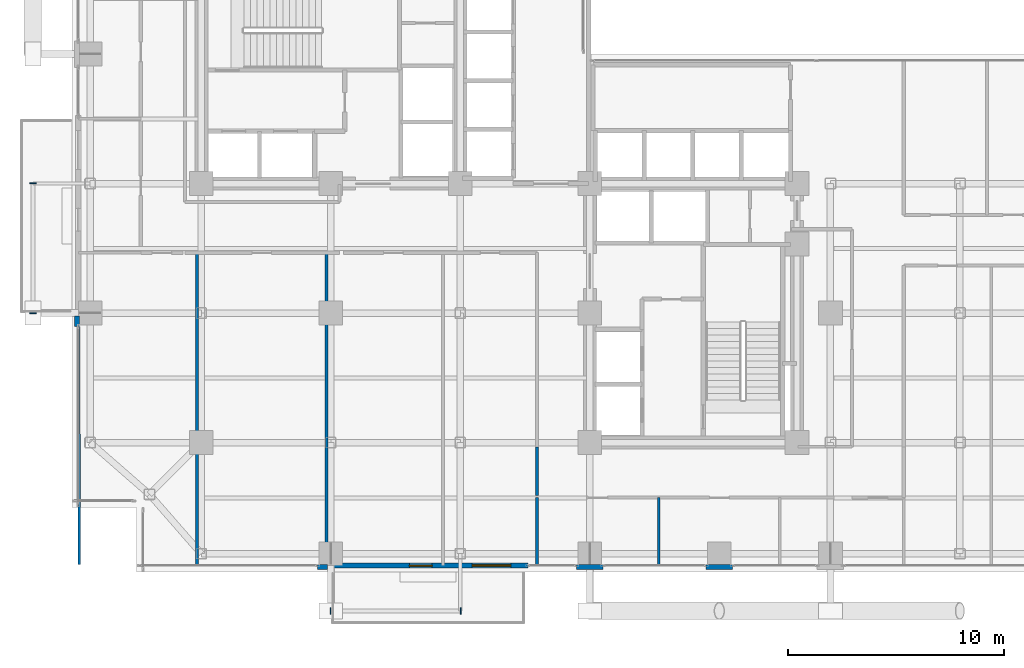
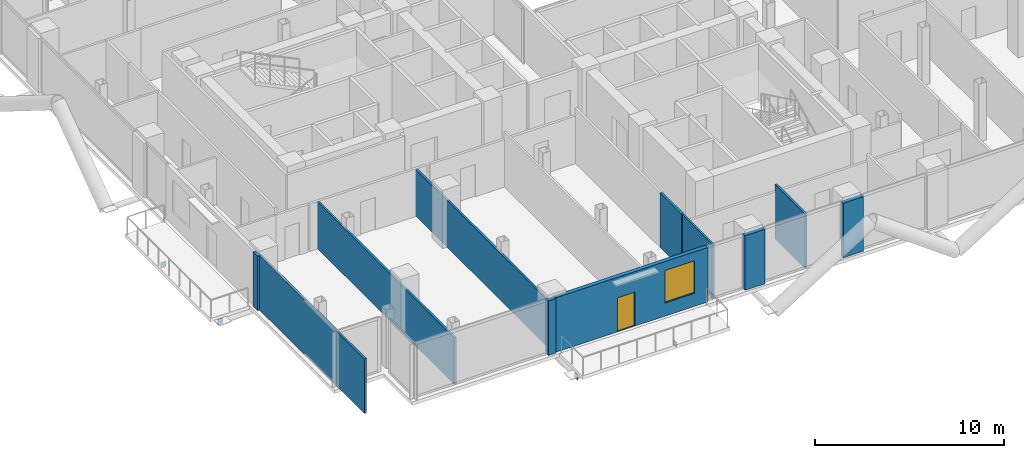
# One storey, part 19 of 26: 11 walls, 4 plates, 1 door, 1 window, 2 openings.
"""IFC4 building model written with IfcOpenShell, lengths in metres."""

import ifcopenshell
import ifcopenshell.guid

model = None  # the IFC model being written
_history = None  # IfcOwnerHistory: only IFC2X3 demands one
_inside = {}  # id of a spatial element -> (the spatial element, [elements in it])
_under = {}  # id of a project, library or spatial element -> (it, [spatial elements below it])
_declared = {}  # id of a project -> (the project, [libraries it declares])
_typed = {}  # id of a type object -> (the type object, [elements of that type])
_made_of = {}  # id of a material, layer set ... -> (it, [elements and type objects made of it])


def new_model(schema):
    """Start an empty IFC model of exactly this schema.

    Asked for "IFC4X3", IfcOpenShell would pick the latest addendum, in which some entities
    have other attributes; the version numbers below select the first issue.
    IFC2X3 requires an IfcOwnerHistory on every rooted entity: one is made here for all.
    """
    global model, _history
    if schema == "IFC4X3":
        model = ifcopenshell.file(schema_version=(4, 3, 0, 0))
    else:
        model = ifcopenshell.file(schema=schema)
    _inside.clear()
    _under.clear()
    _declared.clear()
    _typed.clear()
    _made_of.clear()
    _history = None
    if model.schema == "IFC2X3":
        org = make("IfcOrganization", Name="unknown")
        user = make(
            "IfcPersonAndOrganization",
            ThePerson=make("IfcPerson", FamilyName="unknown"),
            TheOrganization=org,
        )
        app = make(
            "IfcApplication",
            ApplicationDeveloper=org,
            Version="unknown",
            ApplicationFullName="unknown",
            ApplicationIdentifier="unknown",
        )
        _history = make(
            "IfcOwnerHistory",
            OwningUser=user,
            OwningApplication=app,
            ChangeAction="ADDED",
            CreationDate=0,
        )
    return model


def make(cls, **values):
    """One entity of the class cls with the attributes given. An attribute that is None is left unset."""
    return model.create_entity(
        cls, **{name: value for name, value in values.items() if value is not None}
    )


def rooted(cls, **values):
    """An entity with a GlobalId (a new one), such as an element, a storey or a relation."""
    return make(cls, GlobalId=ifcopenshell.guid.new(), OwnerHistory=_history, **values)


def si_unit(unit_type, name, prefix=None):
    """IfcSIUnit, for example si_unit("LENGTHUNIT", "METRE", prefix="MILLI")."""
    return make("IfcSIUnit", UnitType=unit_type, Prefix=prefix, Name=name)


def assignment(units):
    """IfcUnitAssignment: the units of a project."""
    return None if units is None else make("IfcUnitAssignment", Units=units)


def point(xyz):
    """IfcCartesianPoint."""
    return None if xyz is None else make("IfcCartesianPoint", Coordinates=xyz)


def direction(xyz):
    """IfcDirection."""
    return None if xyz is None else make("IfcDirection", DirectionRatios=xyz)


def frame(location, z_axis=None, x_axis=None):
    """IfcAxis2Placement3D, a coordinate frame: its origin and axes. An axis left out is left unset."""
    return make(
        "IfcAxis2Placement3D",
        Location=point(location),
        Axis=direction(z_axis),
        RefDirection=direction(x_axis),
    )


def frame_2d(location, x_axis=None):
    """IfcAxis2Placement2D, a coordinate frame in the plane: its origin and x axis."""
    return make(
        "IfcAxis2Placement2D", Location=point(location), RefDirection=direction(x_axis)
    )


def origin():
    """The frame at (0, 0, 0) with its axes left unset."""
    return frame((0.0, 0.0, 0.0))


def origin_2d():
    """The frame at (0, 0) in the plane with its x axis left unset."""
    return frame_2d((0.0, 0.0))


def place(relative_to, where):
    """IfcLocalPlacement: puts the frame where relative to a parent placement (None: the world)."""
    return make(
        "IfcLocalPlacement", PlacementRelTo=relative_to, RelativePlacement=where
    )


def context(
    kind, dimensions, precision=None, world=None, true_north=None, identifier=None
):
    """IfcGeometricRepresentationContext, for example the 3D "Model" context."""
    return make(
        "IfcGeometricRepresentationContext",
        ContextIdentifier=identifier,
        ContextType=kind,
        CoordinateSpaceDimension=dimensions,
        Precision=precision,
        WorldCoordinateSystem=world,
        TrueNorth=true_north,
    )


def subcontext(parent, identifier, kind, view, scale=None):
    """IfcGeometricRepresentationSubContext, for example "Body" below "Model"."""
    return make(
        "IfcGeometricRepresentationSubContext",
        ContextIdentifier=identifier,
        ContextType=kind,
        ParentContext=parent,
        TargetScale=scale,
        TargetView=view,
    )


def project(units=None, contexts=None):
    """IfcProject with its units and contexts."""
    return rooted(
        "IfcProject",
        Name="project",
        RepresentationContexts=contexts,
        UnitsInContext=assignment(units),
    )


def spatial(cls, under=None, at=None, **own):
    """A site, building, storey or space (cls), placed at a placement, below another one or the project."""
    s = rooted(cls, ObjectPlacement=at, **own)
    if under is not None:
        _under.setdefault(under.id(), (under, []))[1].append(s)
    return s


def profile(cls, at=None, kind="AREA", **sizes):
    """A parametric profile (cls). Its sizes go by their IFC names, for example OverallWidth=200.0."""
    return make(cls, ProfileType=kind, Position=at, **sizes)


def rectangle(**sizes):
    """IfcRectangleProfileDef."""
    return profile("IfcRectangleProfileDef", **sizes)


def extrude(swept, where, along, depth):
    """IfcExtrudedAreaSolid: the profile swept, set in the frame where, extruded along a direction by depth."""
    return make(
        "IfcExtrudedAreaSolid",
        SweptArea=swept,
        Position=where,
        ExtrudedDirection=direction(along),
        Depth=depth,
    )


def shape(context_of_items, identifier, shape_type, items):
    """IfcShapeRepresentation: the items that make up one representation, for example the "Body"."""
    return make(
        "IfcShapeRepresentation",
        ContextOfItems=context_of_items,
        RepresentationIdentifier=identifier,
        RepresentationType=shape_type,
        Items=items,
    )


def material(Name=None, Category=None):
    """IfcMaterial."""
    return make("IfcMaterial", Name=Name, Category=Category)


def layer(
    of_material, thickness, ventilated=None, Name=None, Category=None, Priority=None
):
    """IfcMaterialLayer: one layer of a wall or slab, of a material (None: an air gap)."""
    return make(
        "IfcMaterialLayer",
        Material=of_material,
        LayerThickness=thickness,
        IsVentilated=ventilated,
        Name=Name,
        Category=Category,
        Priority=Priority,
    )


def layer_set(layers, Name=None):
    """IfcMaterialLayerSet."""
    return make("IfcMaterialLayerSet", MaterialLayers=layers, LayerSetName=Name)


def made_of(thing, what):
    """Note that an element or type object is made of a material, layer set ...; save() writes the relation."""
    if what is not None:
        _made_of.setdefault(what.id(), (what, []))[1].append(thing)
    return thing


def type_object(cls, material=None, **own):
    """A type object (cls), such as IfcWallType, which elements share."""
    return made_of(rooted(cls, **own), material)


def element(
    cls,
    number,
    at=None,
    inside=None,
    cuts=None,
    type_object=None,
    material=None,
    context=None,
    identifier="Body",
    shape_type=None,
    held_by="IfcProductDefinitionShape",
    body=None,
    shapes=None,
    **own,
):
    """One element of the class cls, such as IfcWall. Its Tag is "e" and its number.

    at: its placement. inside: the storey or other place that contains it. cuts: it is an
    opening in that element (IfcRelVoidsElement). A single representation is given by context,
    identifier, shape_type and body (its items); several are given by shapes. held_by: the class
    of the entity that holds the representations. save() writes the other relations.
    """
    e = rooted(cls, Tag="e%d" % number, ObjectPlacement=at, **own)
    if body is not None:
        shapes = [shape(context, identifier, shape_type, body)]
    if shapes is not None:
        e.Representation = make(held_by, Representations=shapes)
    if inside is not None:
        _inside.setdefault(inside.id(), (inside, []))[1].append(e)
    if cuts is not None:
        rooted(
            "IfcRelVoidsElement", RelatingBuildingElement=cuts, RelatedOpeningElement=e
        )
    if type_object is not None:
        _typed.setdefault(type_object.id(), (type_object, []))[1].append(e)
    return made_of(e, material)


def fill(opening, filler):
    """IfcRelFillsElement: the door or window that sits in an opening."""
    return rooted(
        "IfcRelFillsElement",
        RelatingOpeningElement=opening,
        RelatedBuildingElement=filler,
    )


def aggregate(whole, parts):
    """IfcRelAggregates: a whole, such as a stair, and the parts it consists of."""
    return rooted("IfcRelAggregates", RelatingObject=whole, RelatedObjects=parts)


def save(model, path):
    """Write the relations noted so far, then the file.

    IfcRelAggregates (storeys below a building ...), IfcRelContainedInSpatialStructure (elements
    in a storey), IfcRelDefinesByType, IfcRelAssociatesMaterial and IfcRelDeclares: one each for
    every whole, place, type object, material and project.
    """
    for whole, parts in _under.values():
        aggregate(whole, parts)
    for where, things in _inside.values():
        rooted(
            "IfcRelContainedInSpatialStructure",
            RelatedElements=things,
            RelatingStructure=where,
        )
    for kind, things in _typed.values():
        rooted("IfcRelDefinesByType", RelatedObjects=things, RelatingType=kind)
    for what, things in _made_of.values():
        rooted("IfcRelAssociatesMaterial", RelatedObjects=things, RelatingMaterial=what)
    for by, libraries in _declared.values():
        rooted("IfcRelDeclares", RelatingContext=by, RelatedDefinitions=libraries)
    model.write(path)


model = new_model("IFC4")

# Units and contexts
model_context = context("Model", 3, precision=1e-05, world=origin(), true_north=direction((0.0, 1.0)))
body_context = subcontext(model_context, "Body", "Model", "MODEL_VIEW")
ifc_project = project(units=[si_unit("LENGTHUNIT", "METRE"), si_unit("AREAUNIT", "SQUARE_METRE"), si_unit("VOLUMEUNIT", "CUBIC_METRE"), si_unit("PLANEANGLEUNIT", "RADIAN"), si_unit("MASSUNIT", "GRAM", prefix="KILO"), si_unit("THERMODYNAMICTEMPERATUREUNIT", "KELVIN"), si_unit("POWERUNIT", "WATT")], contexts=[model_context])

# Site, building, storey
site_placement = place(None, origin())
site = spatial("IfcSite", under=ifc_project, at=site_placement, CompositionType="ELEMENT")
building_placement = place(site_placement, origin())
building = spatial("IfcBuilding", under=site, at=building_placement, Name="Svarakhadi Broadcast Tower", CompositionType="ELEMENT")
storey_placement = place(building_placement, frame((0.0, 0.0, 99.60009765625)))
storey = spatial("IfcBuildingStorey", under=building, at=storey_placement, Name="L23", CompositionType="ELEMENT", Elevation=99.60009765625)

# Plates
ifc_material_1 = material(Name="Steel S460ML (IS 2062 E450BR)", Category="steel")
ifc_layer_1 = layer(ifc_material_1, 0.028076171875)
ifc_layer_set_1 = layer_set([ifc_layer_1], Name="Steel S460ML (IS 2062 E450BR)")
plate_type = type_object("IfcPlateType", Name="Cap_Plate_CP02", PredefinedType="USERDEFINED", material=ifc_layer_set_1)
for number, where, z_axis, x_axis, name in (
    (1, (11.985107421875, -1.800048828125, -0.55517578125), (0.0, 0.0, 1.0), (1.0, 0.0, 0.0), "L23 Balcony Spandrel End Cap Plate 1F-A"),
    (2, (18.014892578125, -1.800048828125, -0.55517578125), (0.0, 0.0, 1.0), (1.0, 0.0, 0.0), "L23 Balcony Spandrel End Cap Plate 1F-B"),
):
    element("IfcPlate", number, at=place(storey_placement, frame(where, z_axis=z_axis, x_axis=x_axis)), inside=storey, type_object=plate_type, Name=name, ObjectType="FLANGE_PLATE", PredefinedType="USERDEFINED", context=body_context, shape_type="SweptSolid", body=[
        extrude(rectangle(XDim=0.0400390625, YDim=0.300048828125, at=origin_2d()), origin(), (0.0, 0.0, 1.0), 0.360107421875),
    ])
for number, where, z_axis, x_axis, name in (
    (3, (-1.800048828125, 11.985107421875, -0.55517578125), (0.0, 0.0, 1.0), (1.0, 0.0, 0.0), "L23 Balcony Spandrel End Cap Plate 2F-A"),
    (4, (-1.800048828125, 18.014892578125, -0.55517578125), (0.0, 0.0, 1.0), (1.0, 0.0, 0.0), "L23 Balcony Spandrel End Cap Plate 2F-B"),
):
    element("IfcPlate", number, at=place(storey_placement, frame(where, z_axis=z_axis, x_axis=x_axis)), inside=storey, type_object=plate_type, Name=name, ObjectType="FLANGE_PLATE", PredefinedType="USERDEFINED", context=body_context, shape_type="SweptSolid", body=[
        extrude(rectangle(XDim=0.300048828125, YDim=0.0400390625, at=origin_2d()), origin(), (0.0, 0.0, 1.0), 0.360107421875),
    ])

# Wall, openings, door, window
ifc_material_2 = material(Name="Concrete C40/50 (IS 456 M50)", Category="concrete")
ifc_layer_2 = layer(ifc_material_2, 0.239990234375)
ifc_layer_set_2 = layer_set([ifc_layer_2], Name="Concrete C40/50 (IS 456 M50)")
wall_type_1 = type_object("IfcWallType", Name="Wall_Ext_240", PredefinedType="SOLIDWALL", material=ifc_layer_set_2)
wall_1_placement = place(storey_placement, frame((21.14501953125, 0.300048828125, 0.0), z_axis=(0.0, 0.0, 1.0), x_axis=(-1.0, 0.0, 0.0)))
wall_1 = element("IfcWall", 5, at=wall_1_placement, inside=storey, type_object=wall_type_1, Name="L23 South Tree Balcony Spandrel Wall", PredefinedType="SOLIDWALL", context=body_context, shape_type="SweptSolid", body=[
    extrude(rectangle(XDim=9.2900390625, YDim=0.239990234375, at=frame_2d((4.64501953125, 0.0))), origin(), (0.0, 0.0, 1.0), 3.52490234375),
])
opening_1_placement = place(wall_1_placement, frame((4.449951171875, 0.0, 0.0)))
opening_1 = element("IfcOpeningElement", 6, at=opening_1_placement, cuts=wall_1, Name="Opening ED-05", PredefinedType="OPENING", context=body_context, shape_type="SweptSolid", body=[
    extrude(rectangle(XDim=1.050048828125, YDim=2.199951171875, at=frame_2d((0.52490234375, 1.10009765625))), frame((0.0, 0.1298828125, 0.0), z_axis=(0.0, -1.0, 0.0), x_axis=(1.0, 0.0, 0.0)), (0.0, 0.0, 1.0), 0.260009765625),
])
opening_2_placement = place(wall_1_placement, frame((0.800048828125, 0.0, 0.85009765625)))
opening_2 = element("IfcOpeningElement", 7, at=opening_2_placement, cuts=wall_1, Name="Opening WN-02", PredefinedType="OPENING", context=body_context, shape_type="SweptSolid", body=[
    extrude(rectangle(XDim=1.800048828125, YDim=2.10009765625, at=frame_2d((0.89990234375, 1.050048828125))), frame((0.0, 0.1298828125, 0.0), z_axis=(0.0, -1.0, 0.0), x_axis=(1.0, 0.0, 0.0)), (0.0, 0.0, 1.0), 0.260009765625),
])
ifc_material_3 = material(Name="Anodised Bronze Aluminium AA 6063-T6", Category="aluminium")
door_type = type_object("IfcDoorType", Name="Door_Ext_ED05", OperationType="SINGLE_SWING_LEFT", PredefinedType="DOOR", material=ifc_material_3)
door_placement = place(opening_1_placement, origin())
door = element("IfcDoor", 8, at=door_placement, inside=storey, type_object=door_type, Name="L23 South Tree Balcony Door", OperationType="SINGLE_SWING_LEFT", OverallHeight=2.199951171875, OverallWidth=1.050048828125, PredefinedType="DOOR", context=body_context, shape_type="SweptSolid", body=[
    extrude(rectangle(XDim=1.050048828125, YDim=2.199951171875, at=frame_2d((0.52490234375, 1.10009765625))), frame((0.0, 0.02490234375, 0.0), z_axis=(0.0, -1.0, 0.0), x_axis=(1.0, 0.0, 0.0)), (0.0, 0.0, 1.0), 0.050048828125),
])
fill(opening_1, door)
ifc_material_4 = material(Name="Double Low-E Laminated Acoustic Glass IGU 36 mm", Category="glass")
window_type = type_object("IfcWindowType", Name="Win_Fixed_WN02", PartitioningType="SINGLE_PANEL", PredefinedType="WINDOW", material=ifc_material_4)
window_placement = place(opening_2_placement, origin())
window = element("IfcWindow", 9, at=window_placement, inside=storey, type_object=window_type, Name="L23 South Tree Balcony Window", OverallHeight=2.10009765625, OverallWidth=1.800048828125, PartitioningType="SINGLE_PANEL", PredefinedType="WINDOW", context=body_context, shape_type="SweptSolid", body=[
    extrude(rectangle(XDim=1.800048828125, YDim=2.10009765625, at=frame_2d((0.89990234375, 1.050048828125))), frame((0.0, 0.030029296875, 0.0), z_axis=(0.0, -1.0, 0.0), x_axis=(1.0, 0.0, 0.0)), (0.0, 0.0, 1.0), 0.06005859375),
])
fill(opening_2, window)

# Walls
wall_2_placement = place(storey_placement, frame((0.239990234375, 11.385009765625, 0.0), z_axis=(0.0, 0.0, 1.0), x_axis=(0.0, 1.0, 0.0)))
element("IfcWall", 10, at=wall_2_placement, inside=storey, type_object=wall_type_1, Name="L23 Perimeter Bronze Spandrel Closure Wall 01", PredefinedType="SOLIDWALL", context=body_context, shape_type="SweptSolid", body=[
    extrude(rectangle(XDim=0.469970703125, YDim=0.239990234375, at=frame_2d((0.23486328125, 0.0))), origin(), (0.0, 0.0, 1.0), 3.52490234375),
])
for number, where, z_axis, x_axis, name in (
    (11, (30.614990234375, 0.239990234375, 0.0), (0.0, 0.0, 1.0), (-1.0, 0.0, 0.0), "L23 Perimeter Bronze Spandrel Closure Wall 05"),
    (12, (24.614990234375, 0.239990234375, 0.0), (0.0, 0.0, 1.0), (-1.0, 0.0, 0.0), "L23 Perimeter Bronze Spandrel Closure Wall 06"),
):
    element("IfcWall", number, at=place(storey_placement, frame(where, z_axis=z_axis, x_axis=x_axis)), inside=storey, type_object=wall_type_1, Name=name, PredefinedType="SOLIDWALL", context=body_context, shape_type="SweptSolid", body=[
        extrude(rectangle(XDim=1.22998046875, YDim=0.239990234375, at=frame_2d((0.614990234375, 0.0))), origin(), (0.0, 0.0, 1.0), 3.52490234375),
    ])
wall_3_placement = place(storey_placement, frame((11.85498046875, 0.239990234375, 0.0), z_axis=(0.0, 0.0, 1.0), x_axis=(-1.0, 0.0, 0.0)))
element("IfcWall", 13, at=wall_3_placement, inside=storey, type_object=wall_type_1, Name="L23 Perimeter Bronze Spandrel Closure Wall 07", PredefinedType="SOLIDWALL", context=body_context, shape_type="SweptSolid", body=[
    extrude(rectangle(XDim=0.469970703125, YDim=0.239990234375, at=frame_2d((0.23486328125, 0.0))), origin(), (0.0, 0.0, 1.0), 3.52490234375),
])
ifc_material_5 = material(Name="Fire-Rated Moisture-Resistant Gypsum Board Partition", Category="gypsum")
ifc_layer_3 = layer(ifc_material_5, 0.125)
ifc_layer_set_3 = layer_set([ifc_layer_3], Name="Fire-Rated Moisture-Resistant Gypsum Board Partition")
wall_type_2 = type_object("IfcWallType", Name="Wall_Part_125", PredefinedType="PARTITIONING", material=ifc_layer_set_3)
wall_4_placement = place(storey_placement, frame((0.35009765625, 0.35009765625, 0.0), z_axis=(0.0, 0.0, 1.0), x_axis=(-0.003473507221, 0.999993967356, 0.0)))
element("IfcWall", 14, at=wall_4_placement, inside=storey, type_object=wall_type_2, Name="L23 Marathi Regional News Desk Wall", PredefinedType="PARTITIONING", context=body_context, shape_type="SweptSolid", body=[
    extrude(rectangle(XDim=11.034912109375, YDim=0.125, at=frame_2d((5.517578125, 0.0))), origin(), (0.0, 0.0, 1.0), 3.52490234375),
])
for number, where, z_axis, x_axis, name in (
    (15, (5.800048828125, 0.300048828125, 0.0), (0.0, 0.0, 1.0), (0.0, 1.0, 0.0), "L23 Marathi Regional News Desk Wall"),
    (16, (11.800048828125, 0.300048828125, 0.0), (0.0, 0.0, 1.0), (0.0, 1.0, 0.0), "L23 Konkani Cultural Broadcast Office Wall"),
):
    element("IfcWall", number, at=place(storey_placement, frame(where, z_axis=z_axis, x_axis=x_axis)), inside=storey, type_object=wall_type_2, Name=name, PredefinedType="PARTITIONING", context=body_context, shape_type="SweptSolid", body=[
        extrude(rectangle(XDim=14.5, YDim=0.125, at=frame_2d((7.25, 0.0))), origin(), (0.0, 0.0, 1.0), 3.016845703125),
    ])
for number, where, z_axis, x_axis, name in (
    (17, (21.550048828125, 0.300048828125, 0.0), (0.0, 0.0, 1.0), (0.0, 1.0, 0.0), "L23 South Harbour Editorial Desk Wall"),
    (18, (27.199951171875, 0.300048828125, 0.0), (0.0, 0.0, 1.0), (0.0, 1.0, 0.0), "L23 South Harbour Editorial Desk Wall"),
):
    element("IfcWall", number, at=place(storey_placement, frame(where, z_axis=z_axis, x_axis=x_axis)), inside=storey, type_object=wall_type_2, Name=name, PredefinedType="PARTITIONING", context=body_context, shape_type="SweptSolid", body=[
        extrude(rectangle(XDim=3.14990234375, YDim=0.125, at=frame_2d((1.574951171875, 0.0))), origin(), (0.0, 0.0, 1.0), 3.52490234375),
    ])
ifc_material_6 = material(Name="Autoclaved Aerated Concrete Blockwork 150 mm", Category="masonry")
ifc_layer_4 = layer(ifc_material_6, 0.14990234375)
ifc_layer_set_4 = layer_set([ifc_layer_4], Name="Autoclaved Aerated Concrete Blockwork 150 mm")
wall_type_3 = type_object("IfcWallType", Name="Wall_Part_150", PredefinedType="PARTITIONING", material=ifc_layer_set_4)
wall_5_placement = place(storey_placement, frame((21.550048828125, 3.550048828125, 0.0), z_axis=(0.0, 0.0, 1.0), x_axis=(0.0, 1.0, 0.0)))
element("IfcWall", 19, at=wall_5_placement, inside=storey, type_object=wall_type_3, Name="L23 Broadcast Corridor Wall", PredefinedType="PARTITIONING", context=body_context, shape_type="SweptSolid", body=[
    extrude(rectangle(XDim=2.25, YDim=0.14990234375, at=frame_2d((1.125, 0.0))), origin(), (0.0, 0.0, 1.0), 3.52490234375),
])

save(model, "model.ifc")
